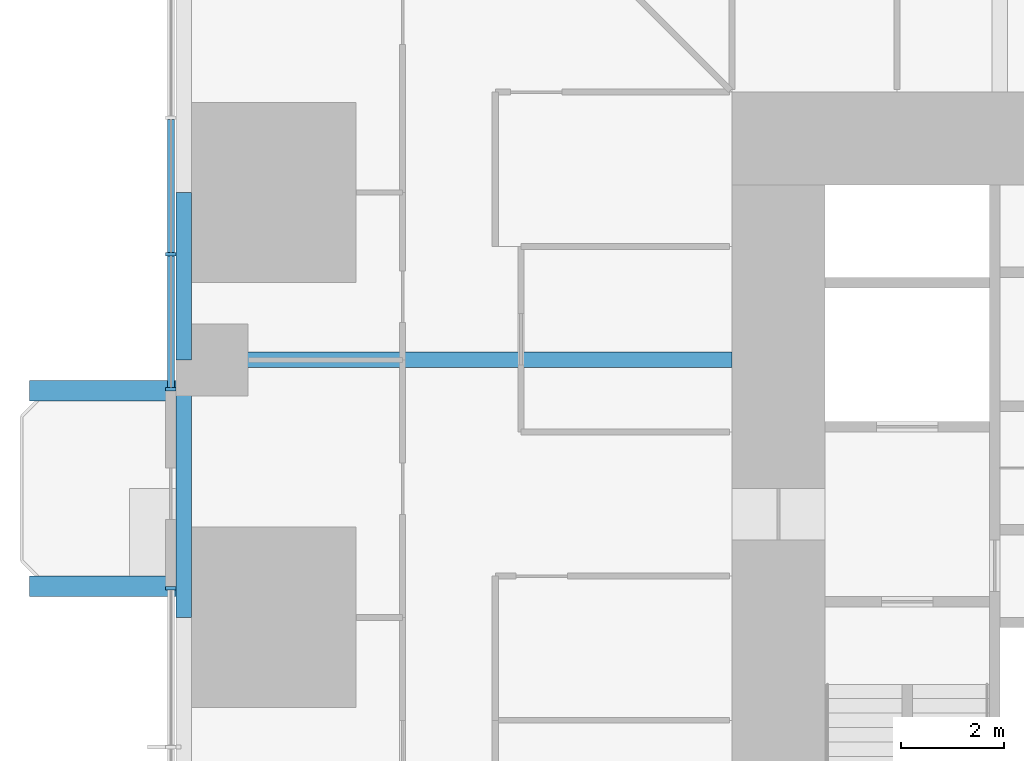
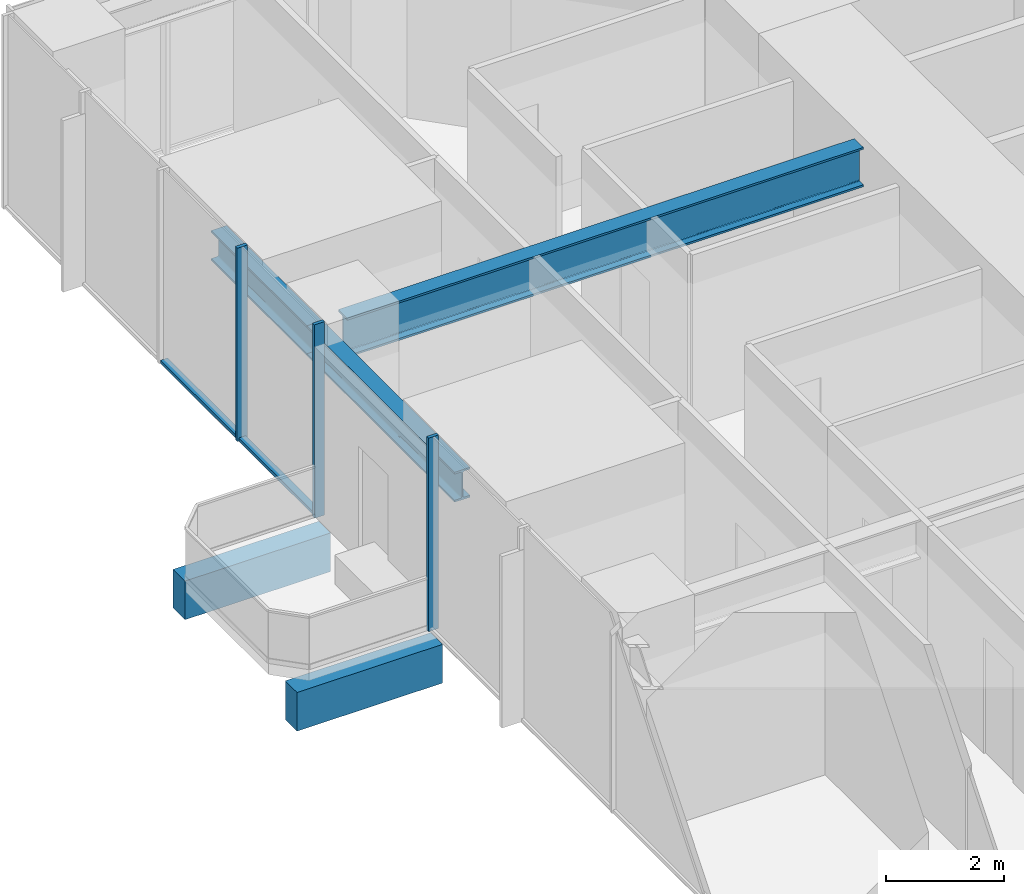
# One storey, part 3 of 17: 5 beams, 5 members, 2 elements without a shape of their own.
"""IFC4 building model written with IfcOpenShell, lengths in metres."""

from ifc_helpers import new_model, si_unit, direction, frame, origin, origin_2d, place, context, subcontext, project, spatial, rectangle, i_section, extrude, material, material_profile, profile_set, type_object, element, aggregate, save


model = new_model("IFC4")

# Units and contexts
model_context = context("Model", 3, precision=1e-05, world=origin(), true_north=direction((0.0, 1.0)))
body_context = subcontext(model_context, "Body", "Model", "MODEL_VIEW")
ifc_project = project(units=[si_unit("LENGTHUNIT", "METRE"), si_unit("AREAUNIT", "SQUARE_METRE"), si_unit("VOLUMEUNIT", "CUBIC_METRE"), si_unit("PLANEANGLEUNIT", "RADIAN"), si_unit("MASSUNIT", "GRAM", prefix="KILO")], contexts=[model_context])

# Site, building, storey
site_placement = place(None, origin())
site = spatial("IfcSite", under=ifc_project, at=site_placement, CompositionType="ELEMENT")
building_placement = place(site_placement, origin())
building = spatial("IfcBuilding", under=site, at=building_placement, Name="Svetlomir Tower", CompositionType="ELEMENT")
storey_placement = place(building_placement, frame((0.0, 0.0, 82.5)))
storey = spatial("IfcBuildingStorey", under=building, at=storey_placement, Name="L19", CompositionType="ELEMENT", Elevation=82.5)

# Beams
ifc_material_1 = material(Name="Concrete C60/75", Category="concrete")
ifc_material_profile_1 = material_profile(ifc_material_1, rectangle(XDim=0.39990234375, YDim=0.800048828125, at=origin_2d()), Name="RC 400x800")
ifc_profile_set_1 = profile_set([ifc_material_profile_1], Name="Concrete C60/75")
beam_type_1 = type_object("IfcBeamType", Name="BALCONY RIB RC 400x800", PredefinedType="BEAM", material=ifc_profile_set_1)
for number, where, z_axis, x_axis, name in (
    (1, (0.0, 21.60009765625, -0.64990234375), (-1.0, 0.0, 0.0), (0.0, -1.0, 0.0), "Balcony rib W 1 L19"),
    (2, (0.0, 25.39990234375, -0.64990234375), (-1.0, 0.0, 0.0), (0.0, -1.0, 0.0), "Balcony rib W 2 L19"),
):
    element("IfcBeam", number, at=place(storey_placement, frame(where, z_axis=z_axis, x_axis=x_axis)), inside=storey, type_object=beam_type_1, Name=name, PredefinedType="BEAM", context=body_context, shape_type="SweptSolid", body=[
        extrude(rectangle(XDim=0.39990234375, YDim=0.800048828125, at=origin_2d()), origin(), (0.0, 0.0, 1.0), 2.85009765625),
    ])

# Curtain wall, members
ifc_material_2 = material(Name="Bronze anodised aluminium curtain wall", Category="aluminium")
curtain_wall_type = type_object("IfcCurtainWallType", Name="CURTAIN WALL CW1 TOWER OFFICE", PredefinedType="NOTDEFINED", material=ifc_material_2)
curtain_wall_1_placement = place(storey_placement, origin())
curtain_wall_1 = element("IfcCurtainWall", 3, at=curtain_wall_1_placement, inside=storey, type_object=curtain_wall_type, Name="Curtain wall CW1 L19", PredefinedType="NOTDEFINED")
ifc_material_3 = material(Name="Bronze anodised aluminium", Category="aluminium")
ifc_material_profile_2 = material_profile(ifc_material_3, rectangle(XDim=0.06494140625, YDim=0.199951171875, at=origin_2d()), Name="AL 65x200")
ifc_profile_set_2 = profile_set([ifc_material_profile_2], Name="Bronze anodised aluminium 6063-T6")
member_type_1 = type_object("IfcMemberType", Name="CW1 MULLION 65x200", PredefinedType="MULLION", material=ifc_profile_set_2)
member_1_placement = place(storey_placement, frame((-0.10009765625, 28.050048828125, 0.0), z_axis=(0.0, 0.0, 1.0), x_axis=(0.0, -1.0, 0.0)))
member_1 = element("IfcMember", 4, at=member_1_placement, type_object=member_type_1, Name="CW1 mullion 4", PredefinedType="MULLION", context=body_context, shape_type="SweptSolid", body=[
    extrude(rectangle(XDim=0.06494140625, YDim=0.199951171875, at=origin_2d()), origin(), (0.0, 0.0, 1.0), 4.0),
])
member_2_placement = place(storey_placement, frame((-0.10009765625, 25.4326171875, 0.0), z_axis=(0.0, 0.0, 1.0), x_axis=(0.0, -1.0, 0.0)))
member_2 = element("IfcMember", 5, at=member_2_placement, type_object=member_type_1, Name="CW1 mullion 5", PredefinedType="MULLION", context=body_context, shape_type="SweptSolid", body=[
    extrude(rectangle(XDim=0.06494140625, YDim=0.199951171875, at=origin_2d()), origin(), (0.0, 0.0, 1.0), 4.0),
])

# Curtain wall, member
curtain_wall_2_placement = place(storey_placement, origin())
curtain_wall_2 = element("IfcCurtainWall", 6, at=curtain_wall_2_placement, inside=storey, type_object=curtain_wall_type, Name="Curtain wall CW1 L19", PredefinedType="NOTDEFINED")
member_3_placement = place(storey_placement, frame((-0.10009765625, 21.5673828125, 0.0), z_axis=(0.0, 0.0, 1.0), x_axis=(0.0, -1.0, 0.0)))
member_3 = element("IfcMember", 7, at=member_3_placement, type_object=member_type_1, Name="CW1 mullion 1", PredefinedType="MULLION", context=body_context, shape_type="SweptSolid", body=[
    extrude(rectangle(XDim=0.06494140625, YDim=0.199951171875, at=origin_2d()), origin(), (0.0, 0.0, 1.0), 4.0),
])
aggregate(curtain_wall_2, [member_3])

# Member
ifc_material_4 = material(Name="Bronze anodised aluminium", Category="aluminium")
ifc_material_profile_3 = material_profile(ifc_material_4, rectangle(XDim=0.139892578125, YDim=0.06494140625, at=origin_2d()), Name="AL 140x65")
ifc_profile_set_3 = profile_set([ifc_material_profile_3], Name="Bronze anodised aluminium 6063-T6")
member_type_2 = type_object("IfcMemberType", Name="CW1 TRANSOM 65x140", PredefinedType="USERDEFINED", material=ifc_profile_set_3)
member_4_placement = place(storey_placement, frame((-0.10009765625, 30.66748046875, 0.032470703125), z_axis=(0.0, -1.0, 0.0), x_axis=(1.0, 0.0, 0.0)))
member_4 = element("IfcMember", 8, at=member_4_placement, type_object=member_type_2, Name="CW1 transom 3.1", ObjectType="TRANSOM", PredefinedType="USERDEFINED", context=body_context, shape_type="SweptSolid", body=[
    extrude(rectangle(XDim=0.139892578125, YDim=0.06494140625, at=origin_2d()), origin(), (0.0, 0.0, 1.0), 2.5849609375),
])

member_5_placement = place(storey_placement, frame((-0.10009765625, 28.017578125, 0.032470703125), z_axis=(0.0, -1.0, 0.0), x_axis=(1.0, 0.0, 0.0)))
member_5 = element("IfcMember", 9, at=member_5_placement, type_object=member_type_2, Name="CW1 transom 4.1", ObjectType="TRANSOM", PredefinedType="USERDEFINED", context=body_context, shape_type="SweptSolid", body=[
    extrude(rectangle(XDim=0.139892578125, YDim=0.06494140625, at=origin_2d()), origin(), (0.0, 0.0, 1.0), 2.552490234375),
])

aggregate(curtain_wall_1, [member_1, member_2, member_4, member_5])

# Beams
ifc_material_5 = material(Name="Steel S355", Category="steel")
ifc_material_profile_4 = material_profile(ifc_material_5, i_section(OverallWidth=0.304931640625, OverallDepth=0.6201171875, WebThickness=0.02099609375, FlangeThickness=0.0400390625, FilletRadius=0.027099609375, at=origin_2d()), Name="HEM 600")
ifc_profile_set_4 = profile_set([ifc_material_profile_4], Name="Steel S355")
beam_type_2 = type_object("IfcBeamType", Name="EDGE BEAM HEM 600", PredefinedType="SPANDREL", material=ifc_profile_set_4)
beam_1_placement = place(storey_placement, frame((0.152587890625, 21.0, 3.239990234375), z_axis=(0.0, 1.0, 0.0), x_axis=(-1.0, 0.0, 0.0)))
element("IfcBeam", 10, at=beam_1_placement, inside=storey, type_object=beam_type_2, Name="Edge beam 0/21 to 0/26 under L20", PredefinedType="SPANDREL", context=body_context, shape_type="SweptSolid", body=[
    extrude(i_section(OverallWidth=0.304931640625, OverallDepth=0.6201171875, WebThickness=0.02099609375, FlangeThickness=0.0400390625, FilletRadius=0.027099609375, at=origin_2d()), origin(), (0.0, 0.0, 1.0), 5.0),
])
beam_2_placement = place(storey_placement, frame((0.152587890625, 26.0, 3.239990234375), z_axis=(0.0, 1.0, 0.0), x_axis=(-1.0, 0.0, 0.0)))
element("IfcBeam", 11, at=beam_2_placement, inside=storey, type_object=beam_type_2, Name="Edge beam 0/26 to 0/31 under L20", PredefinedType="SPANDREL", context=body_context, shape_type="SweptSolid", body=[
    extrude(i_section(OverallWidth=0.304931640625, OverallDepth=0.6201171875, WebThickness=0.02099609375, FlangeThickness=0.0400390625, FilletRadius=0.027099609375, at=origin_2d()), origin(), (0.0, 0.0, 1.0), 3.25),
])
ifc_material_6 = material(Name="Steel S355", Category="steel")
ifc_material_profile_5 = material_profile(ifc_material_6, i_section(OverallWidth=0.302978515625, OverallDepth=0.81396484375, WebThickness=0.02099609375, FlangeThickness=0.0400390625, FilletRadius=0.030029296875, at=origin_2d()), Name="HEM 800")
ifc_profile_set_5 = profile_set([ifc_material_profile_5], Name="Steel S355")
beam_type_3 = type_object("IfcBeamType", Name="PLANT FLOOR BEAM HEM 800", PredefinedType="BEAM", material=ifc_profile_set_5)
beam_3_placement = place(storey_placement, frame((0.699951171875, 26.0, 3.14306640625), z_axis=(1.0, 0.0, 0.0), x_axis=(0.0, 1.0, 0.0)))
element("IfcBeam", 12, at=beam_3_placement, inside=storey, type_object=beam_type_3, Name="Plant floor beam W 26 under L20", PredefinedType="BEAM", context=body_context, shape_type="SweptSolid", body=[
    extrude(i_section(OverallWidth=0.302978515625, OverallDepth=0.81396484375, WebThickness=0.02099609375, FlangeThickness=0.0400390625, FilletRadius=0.030029296875, at=origin_2d()), origin(), (0.0, 0.0, 1.0), 10.10009765625),
])

save(model, "model.ifc")
